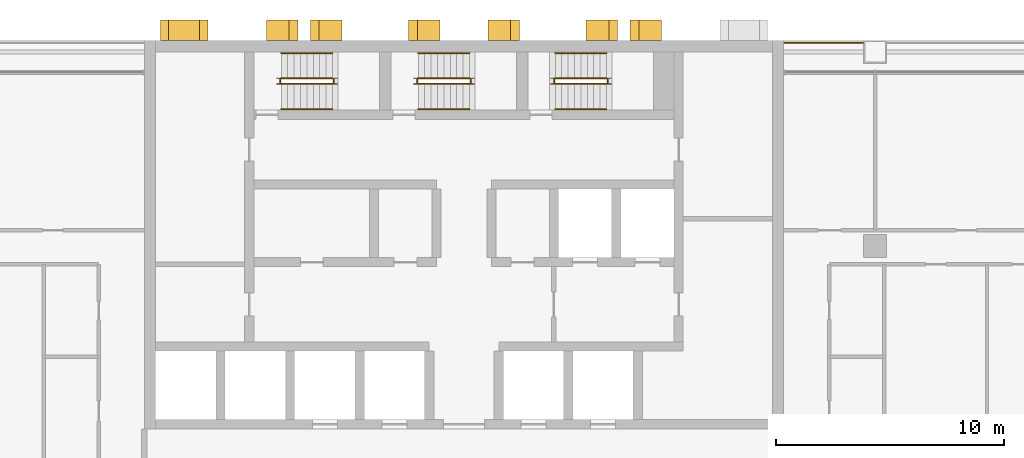
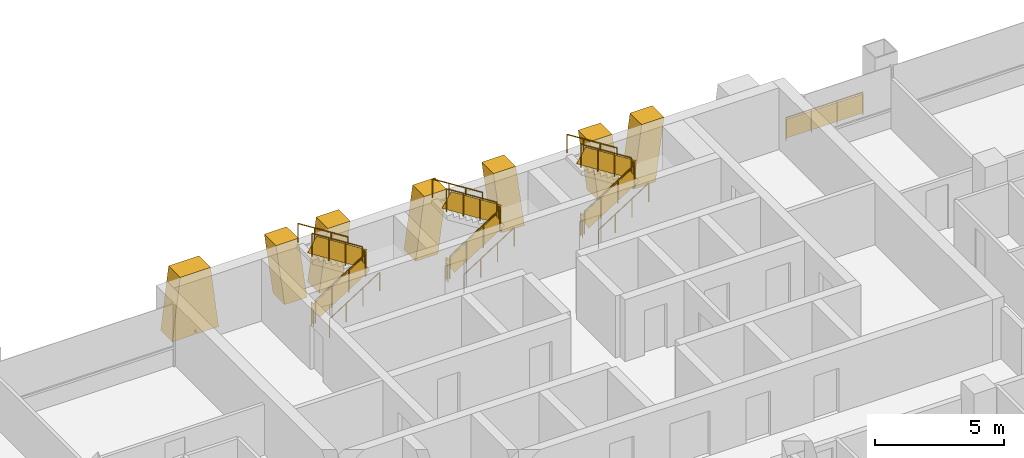
# One storey, part 17 of 18: 19 railings, 7 shading devices.
"""IFC4 building model written with IfcOpenShell, lengths in metres."""

from ifc_helpers import new_model, si_unit, direction, frame, origin, origin_2d, place, context, subcontext, project, spatial, polyline, rectangle, circle, outline, extrude, material, layer, layer_set, type_object, element, save


model = new_model("IFC4")

# Units and contexts
model_context = context("Model", 3, precision=1e-05, world=origin(), true_north=direction((0.0, 1.0)))
body_context = subcontext(model_context, "Body", "Model", "MODEL_VIEW")
ifc_project = project(units=[si_unit("LENGTHUNIT", "METRE"), si_unit("AREAUNIT", "SQUARE_METRE"), si_unit("VOLUMEUNIT", "CUBIC_METRE"), si_unit("PLANEANGLEUNIT", "RADIAN"), si_unit("MASSUNIT", "GRAM", prefix="KILO")], contexts=[model_context])

# Site, building, storey
site_placement = place(None, origin())
site = spatial("IfcSite", under=ifc_project, at=site_placement, CompositionType="ELEMENT")
building_placement = place(site_placement, origin())
building = spatial("IfcBuilding", under=site, at=building_placement, Name="Vidyagriha Tower", CompositionType="ELEMENT")
storey_placement = place(building_placement, frame((0.0, 0.0, 48.0)))
storey = spatial("IfcBuildingStorey", under=building, at=storey_placement, Name="L12", CompositionType="ELEMENT", Elevation=48.0)

# Shading devices
ifc_material_1 = material(Name="Precast concrete C40/50 with brick facing", Category="concrete")
ifc_layer_1 = layer(ifc_material_1, 1.0)
ifc_layer_set_1 = layer_set([ifc_layer_1], Name="Precast concrete C40/50 with brick facing")
shading_device_type_1 = type_object("IfcShadingDeviceType", Name="Brick-faced rear rib arm leaning 8 degrees", PredefinedType="USERDEFINED", material=ifc_layer_set_1)
shading_device_1_placement = place(storey_placement, frame((6.728515625, 20.449951171875, 0.0), z_axis=(0.0, 0.0, 1.0), x_axis=(-1.0, 0.0, 0.0)))
element("IfcShadingDevice", 1, at=shading_device_1_placement, inside=storey, type_object=shading_device_type_1, Name="Rear rib arm L12 R08.2a", ObjectType="BLADE FIN", PredefinedType="USERDEFINED", context=body_context, shape_type="SweptSolid", body=[
    extrude(outline(polyline([(0.0, 0.0), (1.0, 0.0), (1.3857421875, 2.919921875), (0.3857421875, 2.919921875), (0.0, 0.0)])), frame((0.0, 0.449951171875, 0.0), z_axis=(0.0, -1.0, 0.0), x_axis=(1.0, 0.0, 0.0)), (0.0, 0.0, 1.0), 0.89990234375),
])
shading_device_2_placement = place(storey_placement, frame((8.656982421875, 20.449951171875, 0.0), z_axis=(0.0, 0.0, 1.0), x_axis=(-1.0, 0.0, 0.0)))
element("IfcShadingDevice", 2, at=shading_device_2_placement, inside=storey, type_object=shading_device_type_1, Name="Rear rib arm L12 R08.2b", ObjectType="BLADE FIN", PredefinedType="USERDEFINED", context=body_context, shape_type="SweptSolid", body=[
    extrude(outline(polyline([(0.3857421875, 0.0), (1.3857421875, 0.0), (1.0, 2.919921875), (0.0, 2.919921875), (0.3857421875, 0.0)])), frame((0.0, 0.449951171875, 0.0), z_axis=(0.0, -1.0, 0.0), x_axis=(1.0, 0.0, 0.0)), (0.0, 0.0, 1.0), 0.89990234375),
])
shading_device_3_placement = place(storey_placement, frame((2.4287109375, 20.449951171875, 0.0), z_axis=(0.0, 0.0, 1.0), x_axis=(-1.0, 0.0, 0.0)))
element("IfcShadingDevice", 3, at=shading_device_3_placement, inside=storey, type_object=shading_device_type_1, Name="Rear rib arm L12 R08.3a", ObjectType="BLADE FIN", PredefinedType="USERDEFINED", context=body_context, shape_type="SweptSolid", body=[
    extrude(outline(polyline([(0.0, 0.0), (1.0, 0.0), (1.3857421875, 2.919921875), (0.3857421875, 2.919921875), (0.0, 0.0)])), frame((0.0, 0.449951171875, 0.0), z_axis=(0.0, -1.0, 0.0), x_axis=(1.0, 0.0, 0.0)), (0.0, 0.0, 1.0), 0.89990234375),
])
shading_device_4_placement = place(storey_placement, frame((-1.04296875, 20.449951171875, 0.0), z_axis=(0.0, 0.0, 1.0), x_axis=(-1.0, 0.0, 0.0)))
element("IfcShadingDevice", 4, at=shading_device_4_placement, inside=storey, type_object=shading_device_type_1, Name="Rear rib arm L12 R08.3b", ObjectType="BLADE FIN", PredefinedType="USERDEFINED", context=body_context, shape_type="SweptSolid", body=[
    extrude(outline(polyline([(0.3857421875, 0.0), (1.3857421875, 0.0), (1.0, 2.919921875), (0.0, 2.919921875), (0.3857421875, 0.0)])), frame((0.0, 0.449951171875, 0.0), z_axis=(0.0, -1.0, 0.0), x_axis=(1.0, 0.0, 0.0)), (0.0, 0.0, 1.0), 0.89990234375),
])
shading_device_5_placement = place(storey_placement, frame((-7.271484375, 20.449951171875, 0.0), z_axis=(0.0, 0.0, 1.0), x_axis=(-1.0, 0.0, 0.0)))
element("IfcShadingDevice", 5, at=shading_device_5_placement, inside=storey, type_object=shading_device_type_1, Name="Rear rib arm L12 R08.4a", ObjectType="BLADE FIN", PredefinedType="USERDEFINED", context=body_context, shape_type="SweptSolid", body=[
    extrude(outline(polyline([(0.0, 0.0), (1.0, 0.0), (1.3857421875, 2.919921875), (0.3857421875, 2.919921875), (0.0, 0.0)])), frame((0.0, 0.449951171875, 0.0), z_axis=(0.0, -1.0, 0.0), x_axis=(1.0, 0.0, 0.0)), (0.0, 0.0, 1.0), 0.89990234375),
])
shading_device_6_placement = place(storey_placement, frame((-5.343017578125, 20.449951171875, 0.0), z_axis=(0.0, 0.0, 1.0), x_axis=(-1.0, 0.0, 0.0)))
element("IfcShadingDevice", 6, at=shading_device_6_placement, inside=storey, type_object=shading_device_type_1, Name="Rear rib arm L12 R08.4b", ObjectType="BLADE FIN", PredefinedType="USERDEFINED", context=body_context, shape_type="SweptSolid", body=[
    extrude(outline(polyline([(0.3857421875, 0.0), (1.3857421875, 0.0), (1.0, 2.919921875), (0.0, 2.919921875), (0.3857421875, 0.0)])), frame((0.0, 0.449951171875, 0.0), z_axis=(0.0, -1.0, 0.0), x_axis=(1.0, 0.0, 0.0)), (0.0, 0.0, 1.0), 0.89990234375),
])
ifc_material_2 = material(Name="Precast concrete C40/50 with brick facing", Category="concrete")
ifc_layer_2 = layer(ifc_material_2, 1.0)
ifc_layer_set_2 = layer_set([ifc_layer_2], Name="Precast concrete C40/50 with brick facing")
shading_device_type_2 = type_object("IfcShadingDeviceType", Name="Brick-faced rear rib forking 8 degrees", PredefinedType="USERDEFINED", material=ifc_layer_set_2)
shading_device_7_placement = place(storey_placement, frame((-11.21435546875, 20.449951171875, 0.0), z_axis=(0.0, 0.0, 1.0), x_axis=(-1.0, 0.0, 0.0)))
element("IfcShadingDevice", 7, at=shading_device_7_placement, inside=storey, type_object=shading_device_type_2, Name="Rear rib fork L12 R08.5a", ObjectType="BLADE FIN", PredefinedType="USERDEFINED", context=body_context, shape_type="SweptSolid", body=[
    extrude(outline(polyline([(1.0, 0.0), (1.03564453125, 0.2919921875), (1.0712890625, 0.0), (2.0712890625, 0.0), (1.71435546875, 2.919921875), (0.357177734375, 2.919921875), (0.0, 0.0), (1.0, 0.0)])), frame((0.0, 0.449951171875, 0.0), z_axis=(0.0, -1.0, 0.0), x_axis=(1.0, 0.0, 0.0)), (0.0, 0.0, 1.0), 0.89990234375),
])

# Railings
ifc_material_3 = material(Name="Steel ASTM A500 Grade C black painted", Category="steel")
railing_type_1 = type_object("IfcRailingType", Name="Gallery guard 1100", PredefinedType="GUARDRAIL", material=ifc_material_3)
railing_1_placement = place(storey_placement, frame((14.030029296875, 19.89990234375, 0.0)))
element("IfcRailing", 8, at=railing_1_placement, inside=storey, type_object=railing_type_1, Name="Gallery guard L12 10", PredefinedType="GUARDRAIL", context=body_context, shape_type="SweptSolid", body=[
    extrude(circle(Radius=0.02490234375, at=origin_2d()), frame((0.0, 0.0, 1.0751953125), z_axis=(1.0, 0.0, 0.0), x_axis=(0.0, 1.0, 0.0)), (0.0, 0.0, 1.0), 3.43994140625),
    extrude(circle(Radius=0.02001953125, at=origin_2d()), origin(), (0.0, 0.0, 1.0), 1.050048828125),
    extrude(circle(Radius=0.02001953125, at=origin_2d()), frame((1.146728515625, 0.0, 0.0)), (0.0, 0.0, 1.0), 1.050048828125),
    extrude(circle(Radius=0.02001953125, at=origin_2d()), frame((2.293212890625, 0.0, 0.0)), (0.0, 0.0, 1.0), 1.050048828125),
    extrude(circle(Radius=0.02001953125, at=origin_2d()), frame((3.43994140625, 0.0, 0.0)), (0.0, 0.0, 1.0), 1.050048828125),
    extrude(rectangle(XDim=0.010009765625, YDim=0.900146484375, at=origin_2d()), frame((0.0, 0.0, 0.550048828125), z_axis=(1.0, 0.0, 0.0), x_axis=(0.0, 1.0, 0.0)), (0.0, 0.0, 1.0), 3.43994140625),
])
ifc_material_4 = material(Name="Steel ASTM A500 Grade C", Category="steel")
railing_type_2 = type_object("IfcRailingType", Name="Stair guard 1100 mm, steel balustrade", PredefinedType="GUARDRAIL", material=ifc_material_4)
railing_2_placement = place(storey_placement, frame((-8.0, 18.10009765625, 0.177734375)))
element("IfcRailing", 9, at=railing_2_placement, inside=storey, type_object=railing_type_2, Name="L12 ST1 stair guard 1", PredefinedType="GUARDRAIL", context=body_context, shape_type="SweptSolid", body=[
    extrude(circle(Radius=0.02392578125, at=origin_2d()), frame((0.0, 0.0, 1.076171875), z_axis=(0.84418770128, 0.0, 0.536047689118), x_axis=(0.0, 1.0, 0.0)), (0.0, 0.0, 1.0), 2.6533203125),
    extrude(circle(Radius=0.02099609375, at=origin_2d()), origin(), (0.0, 0.0, 1.0), 1.052001953125),
    extrude(circle(Radius=0.02099609375, at=origin_2d()), frame((0.74658203125, 0.0, 0.47412109375)), (0.0, 0.0, 1.0), 1.052001953125),
    extrude(circle(Radius=0.02099609375, at=origin_2d()), frame((1.493408203125, 0.0, 0.9482421875)), (0.0, 0.0, 1.0), 1.052001953125),
    extrude(circle(Radius=0.02099609375, at=origin_2d()), frame((2.239990234375, 0.0, 1.42236328125)), (0.0, 0.0, 1.0), 1.052001953125),
    extrude(rectangle(XDim=0.010009765625, YDim=0.761474609375, at=origin_2d()), frame((0.0, 0.0, 0.551025390625), z_axis=(0.84418770128, 0.0, 0.536047689118), x_axis=(0.0, 1.0, 0.0)), (0.0, 0.0, 1.0), 2.6533203125),
])
railing_3_placement = place(storey_placement, frame((-5.7099609375, 18.14990234375, 1.60009765625)))
element("IfcRailing", 10, at=railing_3_placement, inside=storey, type_object=railing_type_2, Name="L12 ST1 stair guard 2", PredefinedType="GUARDRAIL", context=body_context, shape_type="SweptSolid", body=[
    extrude(circle(Radius=0.02392578125, at=origin_2d()), frame((0.0, 0.0, 1.076171875), z_axis=(0.0, 1.0, 0.0), x_axis=(-1.0, 0.0, 0.0)), (0.0, 0.0, 1.0), 0.150146484375),
    extrude(circle(Radius=0.02099609375, at=origin_2d()), origin(), (0.0, 0.0, 1.0), 1.052001953125),
    extrude(circle(Radius=0.02099609375, at=origin_2d()), frame((0.0, 0.150146484375, 0.0)), (0.0, 0.0, 1.0), 1.052001953125),
    extrude(rectangle(XDim=0.010009765625, YDim=0.902099609375, at=origin_2d()), frame((0.0, 0.0, 0.551025390625), z_axis=(0.0, 1.0, 0.0), x_axis=(-1.0, 0.0, 0.0)), (0.0, 0.0, 1.0), 0.150146484375),
])
railing_4_placement = place(storey_placement, frame((-5.760009765625, 18.35009765625, 1.77783203125)))
element("IfcRailing", 11, at=railing_4_placement, inside=storey, type_object=railing_type_2, Name="L12 ST1 stair guard 3", PredefinedType="GUARDRAIL", context=body_context, shape_type="SweptSolid", body=[
    extrude(circle(Radius=0.02392578125, at=origin_2d()), frame((0.0, 0.0, 1.076171875), z_axis=(-0.8442293374, 0.0, 0.53598211339), x_axis=(0.0, -1.0, 0.0)), (0.0, 0.0, 1.0), 2.6533203125),
    extrude(circle(Radius=0.02099609375, at=origin_2d()), origin(), (0.0, 0.0, 1.0), 1.052001953125),
    extrude(circle(Radius=0.02099609375, at=origin_2d()), frame((-0.74658203125, 0.0, 0.47412109375)), (0.0, 0.0, 1.0), 1.052001953125),
    extrude(circle(Radius=0.02099609375, at=origin_2d()), frame((-1.493408203125, 0.0, 0.947998046875)), (0.0, 0.0, 1.0), 1.052001953125),
    extrude(circle(Radius=0.02099609375, at=origin_2d()), frame((-2.239990234375, 0.0, 1.422119140625)), (0.0, 0.0, 1.0), 1.052001953125),
    extrude(rectangle(XDim=0.010009765625, YDim=0.761474609375, at=origin_2d()), frame((0.0, 0.0, 0.551025390625), z_axis=(-0.8442293374, 0.0, 0.53598211339), x_axis=(0.0, -1.0, 0.0)), (0.0, 0.0, 1.0), 2.6533203125),
])
railing_5_placement = place(storey_placement, frame((-8.050048828125, 18.14990234375, 0.0)))
element("IfcRailing", 12, at=railing_5_placement, inside=storey, type_object=railing_type_2, Name="L12 ST1 stair guard 4", PredefinedType="GUARDRAIL", context=body_context, shape_type="SweptSolid", body=[
    extrude(circle(Radius=0.02392578125, at=origin_2d()), frame((0.0, 0.0, 1.076171875), z_axis=(0.0, 1.0, 0.0), x_axis=(-1.0, 0.0, 0.0)), (0.0, 0.0, 1.0), 0.150146484375),
    extrude(circle(Radius=0.02099609375, at=origin_2d()), origin(), (0.0, 0.0, 1.0), 1.052001953125),
    extrude(circle(Radius=0.02099609375, at=origin_2d()), frame((0.0, 0.150146484375, 0.0)), (0.0, 0.0, 1.0), 1.052001953125),
    extrude(rectangle(XDim=0.010009765625, YDim=0.902099609375, at=origin_2d()), frame((0.0, 0.0, 0.551025390625), z_axis=(0.0, 1.0, 0.0), x_axis=(-1.0, 0.0, 0.0)), (0.0, 0.0, 1.0), 0.150146484375),
])
railing_6_placement = place(storey_placement, frame((-2.0, 18.10009765625, 0.177734375)))
element("IfcRailing", 13, at=railing_6_placement, inside=storey, type_object=railing_type_2, Name="L12 ST2 stair guard 1", PredefinedType="GUARDRAIL", context=body_context, shape_type="SweptSolid", body=[
    extrude(circle(Radius=0.02392578125, at=origin_2d()), frame((0.0, 0.0, 1.076171875), z_axis=(0.84418770128, 0.0, 0.536047689118), x_axis=(0.0, 1.0, 0.0)), (0.0, 0.0, 1.0), 2.6533203125),
    extrude(circle(Radius=0.02099609375, at=origin_2d()), origin(), (0.0, 0.0, 1.0), 1.052001953125),
    extrude(circle(Radius=0.02099609375, at=origin_2d()), frame((0.74658203125, 0.0, 0.47412109375)), (0.0, 0.0, 1.0), 1.052001953125),
    extrude(circle(Radius=0.02099609375, at=origin_2d()), frame((1.493408203125, 0.0, 0.9482421875)), (0.0, 0.0, 1.0), 1.052001953125),
    extrude(circle(Radius=0.02099609375, at=origin_2d()), frame((2.239990234375, 0.0, 1.42236328125)), (0.0, 0.0, 1.0), 1.052001953125),
    extrude(rectangle(XDim=0.010009765625, YDim=0.761474609375, at=origin_2d()), frame((0.0, 0.0, 0.551025390625), z_axis=(0.84418770128, 0.0, 0.536047689118), x_axis=(0.0, 1.0, 0.0)), (0.0, 0.0, 1.0), 2.6533203125),
])
railing_7_placement = place(storey_placement, frame((0.2900390625, 18.14990234375, 1.60009765625)))
element("IfcRailing", 14, at=railing_7_placement, inside=storey, type_object=railing_type_2, Name="L12 ST2 stair guard 2", PredefinedType="GUARDRAIL", context=body_context, shape_type="SweptSolid", body=[
    extrude(circle(Radius=0.02392578125, at=origin_2d()), frame((0.0, 0.0, 1.076171875), z_axis=(0.0, 1.0, 0.0), x_axis=(-1.0, 0.0, 0.0)), (0.0, 0.0, 1.0), 0.150146484375),
    extrude(circle(Radius=0.02099609375, at=origin_2d()), origin(), (0.0, 0.0, 1.0), 1.052001953125),
    extrude(circle(Radius=0.02099609375, at=origin_2d()), frame((0.0, 0.150146484375, 0.0)), (0.0, 0.0, 1.0), 1.052001953125),
    extrude(rectangle(XDim=0.010009765625, YDim=0.902099609375, at=origin_2d()), frame((0.0, 0.0, 0.551025390625), z_axis=(0.0, 1.0, 0.0), x_axis=(-1.0, 0.0, 0.0)), (0.0, 0.0, 1.0), 0.150146484375),
])
railing_8_placement = place(storey_placement, frame((0.239990234375, 18.35009765625, 1.77783203125)))
element("IfcRailing", 15, at=railing_8_placement, inside=storey, type_object=railing_type_2, Name="L12 ST2 stair guard 3", PredefinedType="GUARDRAIL", context=body_context, shape_type="SweptSolid", body=[
    extrude(circle(Radius=0.02392578125, at=origin_2d()), frame((0.0, 0.0, 1.076171875), z_axis=(-0.8442293374, 0.0, 0.53598211339), x_axis=(0.0, -1.0, 0.0)), (0.0, 0.0, 1.0), 2.6533203125),
    extrude(circle(Radius=0.02099609375, at=origin_2d()), origin(), (0.0, 0.0, 1.0), 1.052001953125),
    extrude(circle(Radius=0.02099609375, at=origin_2d()), frame((-0.74658203125, 0.0, 0.47412109375)), (0.0, 0.0, 1.0), 1.052001953125),
    extrude(circle(Radius=0.02099609375, at=origin_2d()), frame((-1.493408203125, 0.0, 0.947998046875)), (0.0, 0.0, 1.0), 1.052001953125),
    extrude(circle(Radius=0.02099609375, at=origin_2d()), frame((-2.239990234375, 0.0, 1.422119140625)), (0.0, 0.0, 1.0), 1.052001953125),
    extrude(rectangle(XDim=0.010009765625, YDim=0.761474609375, at=origin_2d()), frame((0.0, 0.0, 0.551025390625), z_axis=(-0.8442293374, 0.0, 0.53598211339), x_axis=(0.0, -1.0, 0.0)), (0.0, 0.0, 1.0), 2.6533203125),
])
railing_9_placement = place(storey_placement, frame((-2.050048828125, 18.14990234375, 0.0)))
element("IfcRailing", 16, at=railing_9_placement, inside=storey, type_object=railing_type_2, Name="L12 ST2 stair guard 4", PredefinedType="GUARDRAIL", context=body_context, shape_type="SweptSolid", body=[
    extrude(circle(Radius=0.02392578125, at=origin_2d()), frame((0.0, 0.0, 1.076171875), z_axis=(0.0, 1.0, 0.0), x_axis=(-1.0, 0.0, 0.0)), (0.0, 0.0, 1.0), 0.150146484375),
    extrude(circle(Radius=0.02099609375, at=origin_2d()), origin(), (0.0, 0.0, 1.0), 1.052001953125),
    extrude(circle(Radius=0.02099609375, at=origin_2d()), frame((0.0, 0.150146484375, 0.0)), (0.0, 0.0, 1.0), 1.052001953125),
    extrude(rectangle(XDim=0.010009765625, YDim=0.902099609375, at=origin_2d()), frame((0.0, 0.0, 0.551025390625), z_axis=(0.0, 1.0, 0.0), x_axis=(-1.0, 0.0, 0.0)), (0.0, 0.0, 1.0), 0.150146484375),
])
railing_10_placement = place(storey_placement, frame((4.0, 18.10009765625, 0.177734375)))
element("IfcRailing", 17, at=railing_10_placement, inside=storey, type_object=railing_type_2, Name="L12 ST3 stair guard 1", PredefinedType="GUARDRAIL", context=body_context, shape_type="SweptSolid", body=[
    extrude(circle(Radius=0.02392578125, at=origin_2d()), frame((0.0, 0.0, 1.076171875), z_axis=(0.84418770128, 0.0, 0.536047689118), x_axis=(0.0, 1.0, 0.0)), (0.0, 0.0, 1.0), 2.6533203125),
    extrude(circle(Radius=0.02099609375, at=origin_2d()), origin(), (0.0, 0.0, 1.0), 1.052001953125),
    extrude(circle(Radius=0.02099609375, at=origin_2d()), frame((0.74658203125, 0.0, 0.47412109375)), (0.0, 0.0, 1.0), 1.052001953125),
    extrude(circle(Radius=0.02099609375, at=origin_2d()), frame((1.493408203125, 0.0, 0.9482421875)), (0.0, 0.0, 1.0), 1.052001953125),
    extrude(circle(Radius=0.02099609375, at=origin_2d()), frame((2.239990234375, 0.0, 1.42236328125)), (0.0, 0.0, 1.0), 1.052001953125),
    extrude(rectangle(XDim=0.010009765625, YDim=0.761474609375, at=origin_2d()), frame((0.0, 0.0, 0.551025390625), z_axis=(0.84418770128, 0.0, 0.536047689118), x_axis=(0.0, 1.0, 0.0)), (0.0, 0.0, 1.0), 2.6533203125),
])
railing_11_placement = place(storey_placement, frame((6.2900390625, 18.14990234375, 1.60009765625)))
element("IfcRailing", 18, at=railing_11_placement, inside=storey, type_object=railing_type_2, Name="L12 ST3 stair guard 2", PredefinedType="GUARDRAIL", context=body_context, shape_type="SweptSolid", body=[
    extrude(circle(Radius=0.02392578125, at=origin_2d()), frame((0.0, 0.0, 1.076171875), z_axis=(0.0, 1.0, 0.0), x_axis=(-1.0, 0.0, 0.0)), (0.0, 0.0, 1.0), 0.150146484375),
    extrude(circle(Radius=0.02099609375, at=origin_2d()), origin(), (0.0, 0.0, 1.0), 1.052001953125),
    extrude(circle(Radius=0.02099609375, at=origin_2d()), frame((0.0, 0.150146484375, 0.0)), (0.0, 0.0, 1.0), 1.052001953125),
    extrude(rectangle(XDim=0.010009765625, YDim=0.902099609375, at=origin_2d()), frame((0.0, 0.0, 0.551025390625), z_axis=(0.0, 1.0, 0.0), x_axis=(-1.0, 0.0, 0.0)), (0.0, 0.0, 1.0), 0.150146484375),
])
railing_12_placement = place(storey_placement, frame((6.239990234375, 18.35009765625, 1.77783203125)))
element("IfcRailing", 19, at=railing_12_placement, inside=storey, type_object=railing_type_2, Name="L12 ST3 stair guard 3", PredefinedType="GUARDRAIL", context=body_context, shape_type="SweptSolid", body=[
    extrude(circle(Radius=0.02392578125, at=origin_2d()), frame((0.0, 0.0, 1.076171875), z_axis=(-0.8442293374, 0.0, 0.53598211339), x_axis=(0.0, -1.0, 0.0)), (0.0, 0.0, 1.0), 2.6533203125),
    extrude(circle(Radius=0.02099609375, at=origin_2d()), origin(), (0.0, 0.0, 1.0), 1.052001953125),
    extrude(circle(Radius=0.02099609375, at=origin_2d()), frame((-0.74658203125, 0.0, 0.47412109375)), (0.0, 0.0, 1.0), 1.052001953125),
    extrude(circle(Radius=0.02099609375, at=origin_2d()), frame((-1.493408203125, 0.0, 0.947998046875)), (0.0, 0.0, 1.0), 1.052001953125),
    extrude(circle(Radius=0.02099609375, at=origin_2d()), frame((-2.239990234375, 0.0, 1.422119140625)), (0.0, 0.0, 1.0), 1.052001953125),
    extrude(rectangle(XDim=0.010009765625, YDim=0.761474609375, at=origin_2d()), frame((0.0, 0.0, 0.551025390625), z_axis=(-0.8442293374, 0.0, 0.53598211339), x_axis=(0.0, -1.0, 0.0)), (0.0, 0.0, 1.0), 2.6533203125),
])
railing_13_placement = place(storey_placement, frame((3.949951171875, 18.14990234375, 0.0)))
element("IfcRailing", 20, at=railing_13_placement, inside=storey, type_object=railing_type_2, Name="L12 ST3 stair guard 4", PredefinedType="GUARDRAIL", context=body_context, shape_type="SweptSolid", body=[
    extrude(circle(Radius=0.02392578125, at=origin_2d()), frame((0.0, 0.0, 1.076171875), z_axis=(0.0, 1.0, 0.0), x_axis=(-1.0, 0.0, 0.0)), (0.0, 0.0, 1.0), 0.150146484375),
    extrude(circle(Radius=0.02099609375, at=origin_2d()), origin(), (0.0, 0.0, 1.0), 1.052001953125),
    extrude(circle(Radius=0.02099609375, at=origin_2d()), frame((0.0, 0.150146484375, 0.0)), (0.0, 0.0, 1.0), 1.052001953125),
    extrude(rectangle(XDim=0.010009765625, YDim=0.902099609375, at=origin_2d()), frame((0.0, 0.0, 0.551025390625), z_axis=(0.0, 1.0, 0.0), x_axis=(-1.0, 0.0, 0.0)), (0.0, 0.0, 1.0), 0.150146484375),
])
ifc_material_5 = material(Name="Steel ASTM A500 Grade C", Category="steel")
railing_type_3 = type_object("IfcRailingType", Name="Stair handrail 900 mm, steel", PredefinedType="HANDRAIL", material=ifc_material_5)
railing_14_placement = place(storey_placement, frame((-8.0, 17.0, 0.177734375)))
element("IfcRailing", 21, at=railing_14_placement, inside=storey, type_object=railing_type_3, Name="L12 ST1 stair handrail 1", PredefinedType="HANDRAIL", context=body_context, shape_type="SweptSolid", body=[
    extrude(circle(Radius=0.02392578125, at=origin_2d()), frame((0.0, 0.0, 0.8759765625), z_axis=(0.84418770128, 0.0, 0.536047689118), x_axis=(0.0, 1.0, 0.0)), (0.0, 0.0, 1.0), 2.6533203125),
    extrude(circle(Radius=0.02099609375, at=origin_2d()), origin(), (0.0, 0.0, 1.0), 0.851806640625),
    extrude(circle(Radius=0.02099609375, at=origin_2d()), frame((0.74658203125, 0.0, 0.47412109375)), (0.0, 0.0, 1.0), 0.851806640625),
    extrude(circle(Radius=0.02099609375, at=origin_2d()), frame((1.493408203125, 0.0, 0.9482421875)), (0.0, 0.0, 1.0), 0.851806640625),
    extrude(circle(Radius=0.02099609375, at=origin_2d()), frame((2.239990234375, 0.0, 1.42236328125)), (0.0, 0.0, 1.0), 0.851806640625),
])
railing_15_placement = place(storey_placement, frame((-5.760009765625, 19.449951171875, 1.77783203125)))
element("IfcRailing", 22, at=railing_15_placement, inside=storey, type_object=railing_type_3, Name="L12 ST1 stair handrail 2", PredefinedType="HANDRAIL", context=body_context, shape_type="SweptSolid", body=[
    extrude(circle(Radius=0.02392578125, at=origin_2d()), frame((0.0, 0.0, 0.8759765625), z_axis=(-0.8442293374, 0.0, 0.53598211339), x_axis=(0.0, -1.0, 0.0)), (0.0, 0.0, 1.0), 2.6533203125),
    extrude(circle(Radius=0.02099609375, at=origin_2d()), origin(), (0.0, 0.0, 1.0), 0.851806640625),
    extrude(circle(Radius=0.02099609375, at=origin_2d()), frame((-0.74658203125, 0.0, 0.47412109375)), (0.0, 0.0, 1.0), 0.851806640625),
    extrude(circle(Radius=0.02099609375, at=origin_2d()), frame((-1.493408203125, 0.0, 0.947998046875)), (0.0, 0.0, 1.0), 0.851806640625),
    extrude(circle(Radius=0.02099609375, at=origin_2d()), frame((-2.239990234375, 0.0, 1.422119140625)), (0.0, 0.0, 1.0), 0.851806640625),
])
railing_16_placement = place(storey_placement, frame((-2.0, 17.0, 0.177734375)))
element("IfcRailing", 23, at=railing_16_placement, inside=storey, type_object=railing_type_3, Name="L12 ST2 stair handrail 1", PredefinedType="HANDRAIL", context=body_context, shape_type="SweptSolid", body=[
    extrude(circle(Radius=0.02392578125, at=origin_2d()), frame((0.0, 0.0, 0.8759765625), z_axis=(0.84418770128, 0.0, 0.536047689118), x_axis=(0.0, 1.0, 0.0)), (0.0, 0.0, 1.0), 2.6533203125),
    extrude(circle(Radius=0.02099609375, at=origin_2d()), origin(), (0.0, 0.0, 1.0), 0.851806640625),
    extrude(circle(Radius=0.02099609375, at=origin_2d()), frame((0.74658203125, 0.0, 0.47412109375)), (0.0, 0.0, 1.0), 0.851806640625),
    extrude(circle(Radius=0.02099609375, at=origin_2d()), frame((1.493408203125, 0.0, 0.9482421875)), (0.0, 0.0, 1.0), 0.851806640625),
    extrude(circle(Radius=0.02099609375, at=origin_2d()), frame((2.239990234375, 0.0, 1.42236328125)), (0.0, 0.0, 1.0), 0.851806640625),
])
railing_17_placement = place(storey_placement, frame((0.239990234375, 19.449951171875, 1.77783203125)))
element("IfcRailing", 24, at=railing_17_placement, inside=storey, type_object=railing_type_3, Name="L12 ST2 stair handrail 2", PredefinedType="HANDRAIL", context=body_context, shape_type="SweptSolid", body=[
    extrude(circle(Radius=0.02392578125, at=origin_2d()), frame((0.0, 0.0, 0.8759765625), z_axis=(-0.8442293374, 0.0, 0.53598211339), x_axis=(0.0, -1.0, 0.0)), (0.0, 0.0, 1.0), 2.6533203125),
    extrude(circle(Radius=0.02099609375, at=origin_2d()), origin(), (0.0, 0.0, 1.0), 0.851806640625),
    extrude(circle(Radius=0.02099609375, at=origin_2d()), frame((-0.74658203125, 0.0, 0.47412109375)), (0.0, 0.0, 1.0), 0.851806640625),
    extrude(circle(Radius=0.02099609375, at=origin_2d()), frame((-1.493408203125, 0.0, 0.947998046875)), (0.0, 0.0, 1.0), 0.851806640625),
    extrude(circle(Radius=0.02099609375, at=origin_2d()), frame((-2.239990234375, 0.0, 1.422119140625)), (0.0, 0.0, 1.0), 0.851806640625),
])
railing_18_placement = place(storey_placement, frame((4.0, 17.0, 0.177734375)))
element("IfcRailing", 25, at=railing_18_placement, inside=storey, type_object=railing_type_3, Name="L12 ST3 stair handrail 1", PredefinedType="HANDRAIL", context=body_context, shape_type="SweptSolid", body=[
    extrude(circle(Radius=0.02392578125, at=origin_2d()), frame((0.0, 0.0, 0.8759765625), z_axis=(0.84418770128, 0.0, 0.536047689118), x_axis=(0.0, 1.0, 0.0)), (0.0, 0.0, 1.0), 2.6533203125),
    extrude(circle(Radius=0.02099609375, at=origin_2d()), origin(), (0.0, 0.0, 1.0), 0.851806640625),
    extrude(circle(Radius=0.02099609375, at=origin_2d()), frame((0.74658203125, 0.0, 0.47412109375)), (0.0, 0.0, 1.0), 0.851806640625),
    extrude(circle(Radius=0.02099609375, at=origin_2d()), frame((1.493408203125, 0.0, 0.9482421875)), (0.0, 0.0, 1.0), 0.851806640625),
    extrude(circle(Radius=0.02099609375, at=origin_2d()), frame((2.239990234375, 0.0, 1.42236328125)), (0.0, 0.0, 1.0), 0.851806640625),
])
railing_19_placement = place(storey_placement, frame((6.239990234375, 19.449951171875, 1.77783203125)))
element("IfcRailing", 26, at=railing_19_placement, inside=storey, type_object=railing_type_3, Name="L12 ST3 stair handrail 2", PredefinedType="HANDRAIL", context=body_context, shape_type="SweptSolid", body=[
    extrude(circle(Radius=0.02392578125, at=origin_2d()), frame((0.0, 0.0, 0.8759765625), z_axis=(-0.8442293374, 0.0, 0.53598211339), x_axis=(0.0, -1.0, 0.0)), (0.0, 0.0, 1.0), 2.6533203125),
    extrude(circle(Radius=0.02099609375, at=origin_2d()), origin(), (0.0, 0.0, 1.0), 0.851806640625),
    extrude(circle(Radius=0.02099609375, at=origin_2d()), frame((-0.74658203125, 0.0, 0.47412109375)), (0.0, 0.0, 1.0), 0.851806640625),
    extrude(circle(Radius=0.02099609375, at=origin_2d()), frame((-1.493408203125, 0.0, 0.947998046875)), (0.0, 0.0, 1.0), 0.851806640625),
    extrude(circle(Radius=0.02099609375, at=origin_2d()), frame((-2.239990234375, 0.0, 1.422119140625)), (0.0, 0.0, 1.0), 0.851806640625),
])

save(model, "model.ifc")
